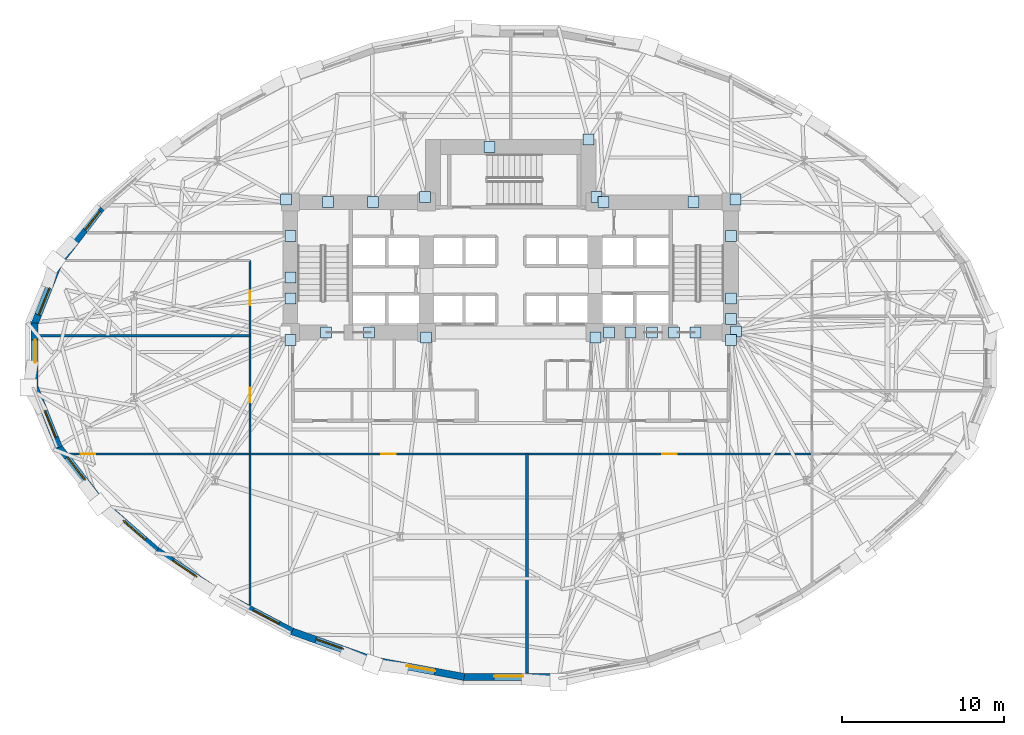
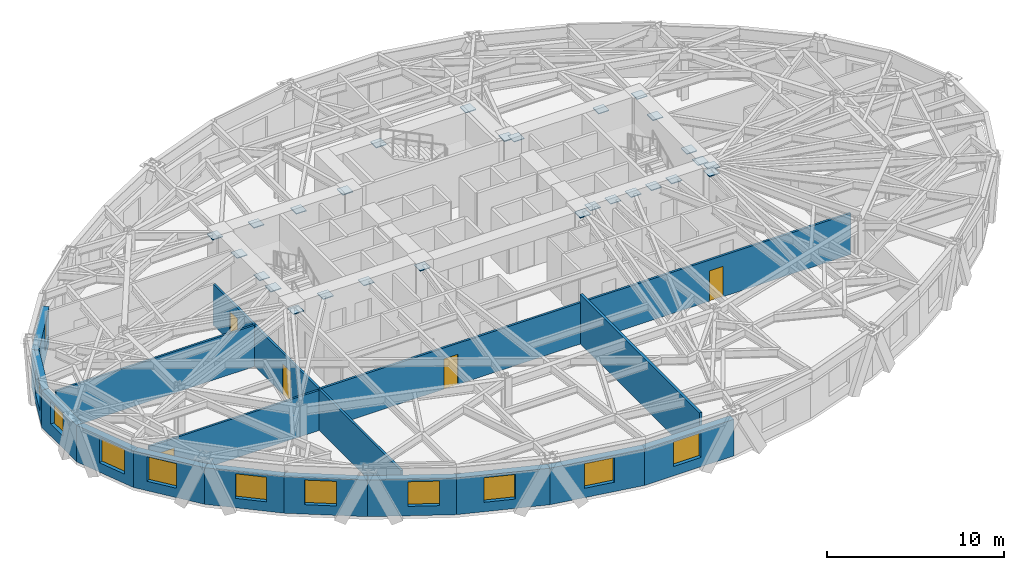
# One storey, part 6 of 14: 28 plates, 16 walls, 11 windows, 5 doors, 16 openings.
"""IFC4 building model written with IfcOpenShell, lengths in metres."""

from ifc_helpers import new_model, si_unit, direction, frame, frame_2d, origin, origin_2d, place, context, subcontext, project, spatial, rectangle, extrude, material, layer, layer_set, type_object, element, fill, save


model = new_model("IFC4")

# Units and contexts
model_context = context("Model", 3, precision=1e-05, world=origin(), true_north=direction((0.0, 1.0)))
body_context = subcontext(model_context, "Body", "Model", "MODEL_VIEW")
ifc_project = project(units=[si_unit("LENGTHUNIT", "METRE"), si_unit("AREAUNIT", "SQUARE_METRE"), si_unit("VOLUMEUNIT", "CUBIC_METRE"), si_unit("PLANEANGLEUNIT", "RADIAN"), si_unit("MASSUNIT", "GRAM", prefix="KILO")], contexts=[model_context])

# Site, building, storey
site_placement = place(None, origin())
site = spatial("IfcSite", under=ifc_project, at=site_placement, CompositionType="ELEMENT")
building_placement = place(site_placement, origin())
building = spatial("IfcBuilding", under=site, at=building_placement, Name="Keldmark Tower", CompositionType="ELEMENT")
storey_placement = place(building_placement, frame((0.0, 0.0, 66.60009765625)))
storey = spatial("IfcBuildingStorey", under=building, at=storey_placement, Name="L17", CompositionType="ELEMENT", Elevation=66.60009765625)

# Plates
ifc_material_1 = material(Name="Steel ASTM A572 Grade 50", Category="steel")
ifc_layer_1 = layer(ifc_material_1, 0.06005859375)
ifc_layer_set_1 = layer_set([ifc_layer_1], Name="Steel ASTM A572 Grade 50")
plate_type = type_object("IfcPlateType", Name="Belt Truss Kink Node Assembly KN01 60 mm", PredefinedType="USERDEFINED", material=ifc_layer_set_1)
for number, where, z_axis, x_axis, name in (
    (1, (13.91162109375, 1.473388671875, 3.09814453125), (0.0, 0.0, 1.0), (1.0, 0.0, 0.0), "L17 Core Wall Cast-In Embed Plate 434"),
    (2, (13.878173828125, 9.608154296875, 3.09814453125), (0.0, 0.0, 1.0), (1.0, 0.0, 0.0), "L17 Core Wall Cast-In Embed Plate 435"),
    (3, (5.28515625, 9.758544921875, 3.09814453125), (0.0, 0.0, 1.0), (1.0, 0.0, 0.0), "L17 Core Wall Cast-In Embed Plate 436"),
    (4, (-5.28515625, 9.758544921875, 3.09814453125), (0.0, 0.0, 1.0), (1.0, 0.0, 0.0), "L17 Core Wall Cast-In Embed Plate 437"),
    (5, (-13.878173828125, 9.608154296875, 3.09814453125), (0.0, 0.0, 1.0), (1.0, 0.0, 0.0), "L17 Core Wall Cast-In Embed Plate 438"),
    (6, (-5.24072265625, 1.08251953125, 3.09814453125), (0.0, 0.0, 1.0), (1.0, 0.0, 0.0), "L17 Core Wall Cast-In Embed Plate 440"),
    (7, (5.24072265625, 1.08251953125, 3.09814453125), (0.0, 0.0, 1.0), (1.0, 0.0, 0.0), "L17 Core Wall Cast-In Embed Plate 441"),
    (8, (11.278564453125, 9.449951171875, 3.10400390625), (0.0, 0.0, 1.0), (1.0, 0.0, 0.0), "L17 Core Wall Cast-In Embed Plate 442"),
    (9, (-11.278564453125, 9.449951171875, 3.10400390625), (0.0, 0.0, 1.0), (1.0, 0.0, 0.0), "L17 Core Wall Cast-In Embed Plate 443"),
    (10, (5.735595703125, 9.449951171875, 3.10400390625), (0.0, 0.0, 1.0), (1.0, 0.0, 0.0), "L17 Core Wall Cast-In Embed Plate 444"),
    (11, (-8.507080078125, 9.449951171875, 3.10400390625), (0.0, 0.0, 1.0), (1.0, 0.0, 0.0), "L17 Core Wall Cast-In Embed Plate 445"),
    (12, (-13.60009765625, 7.343017578125, 3.10400390625), (0.0, 0.0, 1.0), (1.0, 0.0, 0.0), "L17 Core Wall Cast-In Embed Plate 446"),
    (13, (13.60009765625, 0.949951171875, 3.10400390625), (0.0, 0.0, 1.0), (1.0, 0.0, 0.0), "L17 Core Wall Cast-In Embed Plate 447"),
    (14, (13.60009765625, 7.343017578125, 3.10400390625), (0.0, 0.0, 1.0), (1.0, 0.0, 0.0), "L17 Core Wall Cast-In Embed Plate 448"),
    (15, (13.60009765625, 2.228515625, 3.10400390625), (0.0, 0.0, 1.0), (1.0, 0.0, 0.0), "L17 Core Wall Cast-In Embed Plate 449"),
    (16, (13.60009765625, 3.507080078125, 3.10400390625), (0.0, 0.0, 1.0), (1.0, 0.0, 0.0), "L17 Core Wall Cast-In Embed Plate 450"),
    (17, (4.800048828125, 13.300048828125, 3.10400390625), (0.0, 0.0, 1.0), (1.0, 0.0, 0.0), "L17 Core Wall Cast-In Embed Plate 451"),
    (18, (-1.3125, 12.85009765625, 3.10400390625), (0.0, 0.0, 1.0), (1.0, 0.0, 0.0), "L17 Core Wall Cast-In Embed Plate 452"),
    (19, (-13.60009765625, 0.949951171875, 3.10400390625), (0.0, 0.0, 1.0), (1.0, 0.0, 0.0), "L17 Core Wall Cast-In Embed Plate 453"),
    (20, (-13.60009765625, 3.507080078125, 3.10400390625), (0.0, 0.0, 1.0), (1.0, 0.0, 0.0), "L17 Core Wall Cast-In Embed Plate 454"),
    (21, (-13.60009765625, 4.78564453125, 3.10400390625), (0.0, 0.0, 1.0), (1.0, 0.0, 0.0), "L17 Core Wall Cast-In Embed Plate 455"),
    (22, (-11.392822265625, 1.39990234375, 3.10400390625), (0.0, 0.0, 1.0), (1.0, 0.0, 0.0), "L17 Core Wall Cast-In Embed Plate 456"),
    (23, (8.735595703125, 1.39990234375, 3.10400390625), (0.0, 0.0, 1.0), (1.0, 0.0, 0.0), "L17 Core Wall Cast-In Embed Plate 457"),
    (24, (7.406982421875, 1.39990234375, 3.10400390625), (0.0, 0.0, 1.0), (1.0, 0.0, 0.0), "L17 Core Wall Cast-In Embed Plate 458"),
    (25, (11.392822265625, 1.39990234375, 3.10400390625), (0.0, 0.0, 1.0), (1.0, 0.0, 0.0), "L17 Core Wall Cast-In Embed Plate 459"),
    (26, (10.064208984375, 1.39990234375, 3.10400390625), (0.0, 0.0, 1.0), (1.0, 0.0, 0.0), "L17 Core Wall Cast-In Embed Plate 460"),
    (27, (-8.735595703125, 1.39990234375, 3.10400390625), (0.0, 0.0, 1.0), (1.0, 0.0, 0.0), "L17 Core Wall Cast-In Embed Plate 461"),
    (28, (6.07861328125, 1.39990234375, 3.10400390625), (0.0, 0.0, 1.0), (1.0, 0.0, 0.0), "L17 Core Wall Cast-In Embed Plate 462"),
):
    element("IfcPlate", number, at=place(storey_placement, frame(where, z_axis=z_axis, x_axis=x_axis)), inside=storey, type_object=plate_type, Name=name, ObjectType="CAP PLATE", PredefinedType="USERDEFINED", context=body_context, shape_type="SweptSolid", body=[
        extrude(rectangle(XDim=0.679931640625, YDim=0.679931640625, at=origin_2d()), origin(), (0.0, 0.0, 1.0), 0.054931640625),
    ])

# Wall, openings, doors
ifc_material_2 = material(Name="Acoustic Double-Layer Gypsum Corridor Partition", Category="gypsum")
ifc_layer_2 = layer(ifc_material_2, 0.139892578125)
ifc_layer_set_2 = layer_set([ifc_layer_2], Name="Acoustic Double-Layer Gypsum Corridor Partition")
wall_type_1 = type_object("IfcWallType", Name="Acoustic Corridor Partition 140 mm", PredefinedType="PARTITIONING", material=ifc_layer_set_2)
wall_1_placement = place(storey_placement, frame((-16.10009765625, -6.10009765625, 0.0), z_axis=(0.0, 0.0, 1.0), x_axis=(1.0, 0.0, 0.0)))
wall_1 = element("IfcWall", 29, at=wall_1_placement, inside=storey, type_object=wall_type_1, Name="L17 Acoustic Corridor Partition 140 mm COR-S", PredefinedType="PARTITIONING", context=body_context, shape_type="SweptSolid", body=[
    extrude(rectangle(XDim=34.7001953125, YDim=0.139892578125, at=frame_2d((17.35009765625, 0.0))), origin(), (0.0, 0.0, 1.0), 2.852783203125),
])
opening_1_placement = place(wall_1_placement, frame((8.10009765625, 0.0, 0.0)))
opening_1 = element("IfcOpeningElement", 30, at=opening_1_placement, cuts=wall_1, Name="Opening D-IN090", PredefinedType="OPENING", context=body_context, shape_type="SweptSolid", body=[
    extrude(rectangle(XDim=0.89990234375, YDim=2.10009765625, at=frame_2d((0.449951171875, 1.050048828125))), frame((0.0, 0.079833984375, 0.0), z_axis=(0.0, -1.0, 0.0), x_axis=(1.0, 0.0, 0.0)), (0.0, 0.0, 1.0), 0.159912109375),
])
opening_2_placement = place(wall_1_placement, frame((25.449951171875, 0.0, 0.0)))
opening_2 = element("IfcOpeningElement", 31, at=opening_2_placement, cuts=wall_1, Name="Opening D-IN090", PredefinedType="OPENING", context=body_context, shape_type="SweptSolid", body=[
    extrude(rectangle(XDim=0.89990234375, YDim=2.10009765625, at=frame_2d((0.449951171875, 1.050048828125))), frame((0.0, 0.079833984375, 0.0), z_axis=(0.0, -1.0, 0.0), x_axis=(1.0, 0.0, 0.0)), (0.0, 0.0, 1.0), 0.159912109375),
])
ifc_material_3 = material(Name="Stained American White Oak Veneer", Category="wood")
door_type = type_object("IfcDoorType", Name="Interior Door 900x2100", OperationType="NOTDEFINED", PredefinedType="DOOR", material=ifc_material_3)
door_1_placement = place(opening_1_placement, origin())
door_1 = element("IfcDoor", 32, at=door_1_placement, inside=storey, type_object=door_type, Name="L17 Interior Door 900x2100 D-SR-1-L17", OperationType="SINGLE_SWING_LEFT", OverallHeight=2.10009765625, OverallWidth=0.89990234375, PredefinedType="DOOR", context=body_context, shape_type="SweptSolid", body=[
    extrude(rectangle(XDim=0.89990234375, YDim=2.10009765625, at=frame_2d((0.449951171875, 1.050048828125))), frame((0.0, 0.02490234375, 0.0), z_axis=(0.0, -1.0, 0.0), x_axis=(1.0, 0.0, 0.0)), (0.0, 0.0, 1.0), 0.050048828125),
])
fill(opening_1, door_1)
door_2_placement = place(opening_2_placement, origin())
door_2 = element("IfcDoor", 33, at=door_2_placement, inside=storey, type_object=door_type, Name="L17 Interior Door 900x2100 D-SR-2-L17", OperationType="SINGLE_SWING_RIGHT", OverallHeight=2.10009765625, OverallWidth=0.89990234375, PredefinedType="DOOR", context=body_context, shape_type="SweptSolid", body=[
    extrude(rectangle(XDim=0.89990234375, YDim=2.10009765625, at=frame_2d((0.449951171875, 1.050048828125))), frame((0.0, 0.02490234375, 0.0), z_axis=(0.0, -1.0, 0.0), x_axis=(1.0, 0.0, 0.0)), (0.0, 0.0, 1.0), 0.050048828125),
])
fill(opening_2, door_2)

wall_2_placement = place(storey_placement, frame((-16.10009765625, -15.430908203125, 0.0), z_axis=(0.0, 0.0, 1.0), x_axis=(0.0, 1.0, 0.0)))
wall_2 = element("IfcWall", 34, at=wall_2_placement, inside=storey, type_object=wall_type_1, Name="L17 Acoustic Corridor Partition 140 mm COR-W", PredefinedType="PARTITIONING", context=body_context, shape_type="SweptSolid", body=[
    extrude(rectangle(XDim=21.281005859375, YDim=0.139892578125, at=frame_2d((10.640625, 0.0))), origin(), (0.0, 0.0, 1.0), 2.8408203125),
])
opening_3_placement = place(wall_2_placement, frame((12.53076171875, 0.0, 0.0)))
opening_3 = element("IfcOpeningElement", 35, at=opening_3_placement, cuts=wall_2, Name="Opening D-IN090", PredefinedType="OPENING", context=body_context, shape_type="SweptSolid", body=[
    extrude(rectangle(XDim=0.89990234375, YDim=2.10009765625, at=frame_2d((0.449951171875, 1.050048828125))), frame((0.0, 0.079833984375, 0.0), z_axis=(0.0, -1.0, 0.0), x_axis=(1.0, 0.0, 0.0)), (0.0, 0.0, 1.0), 0.159912109375),
])
opening_4_placement = place(wall_2_placement, frame((18.505615234375, 0.0, 0.0)))
opening_4 = element("IfcOpeningElement", 36, at=opening_4_placement, cuts=wall_2, Name="Opening D-IN090", PredefinedType="OPENING", context=body_context, shape_type="SweptSolid", body=[
    extrude(rectangle(XDim=0.89990234375, YDim=2.10009765625, at=frame_2d((0.449951171875, 1.050048828125))), frame((0.0, 0.079833984375, 0.0), z_axis=(0.0, -1.0, 0.0), x_axis=(1.0, 0.0, 0.0)), (0.0, 0.0, 1.0), 0.159912109375),
])
door_3_placement = place(opening_3_placement, origin())
door_3 = element("IfcDoor", 37, at=door_3_placement, inside=storey, type_object=door_type, Name="L17 Interior Door 900x2100 D-WR-1-L17", OperationType="SINGLE_SWING_LEFT", OverallHeight=2.10009765625, OverallWidth=0.89990234375, PredefinedType="DOOR", context=body_context, shape_type="SweptSolid", body=[
    extrude(rectangle(XDim=0.89990234375, YDim=2.10009765625, at=frame_2d((0.449951171875, 1.050048828125))), frame((0.0, 0.02490234375, 0.0), z_axis=(0.0, -1.0, 0.0), x_axis=(1.0, 0.0, 0.0)), (0.0, 0.0, 1.0), 0.050048828125),
])
fill(opening_3, door_3)
door_4_placement = place(opening_4_placement, origin())
door_4 = element("IfcDoor", 38, at=door_4_placement, inside=storey, type_object=door_type, Name="L17 Interior Door 900x2100 D-WR-2-L17", OperationType="SINGLE_SWING_RIGHT", OverallHeight=2.10009765625, OverallWidth=0.89990234375, PredefinedType="DOOR", context=body_context, shape_type="SweptSolid", body=[
    extrude(rectangle(XDim=0.89990234375, YDim=2.10009765625, at=frame_2d((0.449951171875, 1.050048828125))), frame((0.0, 0.02490234375, 0.0), z_axis=(0.0, -1.0, 0.0), x_axis=(1.0, 0.0, 0.0)), (0.0, 0.0, 1.0), 0.050048828125),
])
fill(opening_4, door_4)

# Wall
ifc_material_4 = material(Name="STC-58 Insulated Tenant Demising Gypsum Partition", Category="gypsum")
ifc_layer_3 = layer(ifc_material_4, 0.175048828125)
ifc_layer_set_3 = layer_set([ifc_layer_3], Name="STC-58 Insulated Tenant Demising Gypsum Partition")
wall_type_2 = type_object("IfcWallType", Name="Demising Suite Partition 175 mm", PredefinedType="PARTITIONING", material=ifc_layer_set_3)
wall_3_placement = place(storey_placement, frame((1.0, -19.636474609375, 0.0), z_axis=(0.0, 0.0, 1.0), x_axis=(0.0, 1.0, 0.0)))
element("IfcWall", 39, at=wall_3_placement, inside=storey, type_object=wall_type_2, Name="L17 Demising Suite Partition 175 mm S-DIV-1", PredefinedType="PARTITIONING", context=body_context, shape_type="SweptSolid", body=[
    extrude(rectangle(XDim=13.536376953125, YDim=0.175048828125, at=frame_2d((6.76806640625, 0.0))), origin(), (0.0, 0.0, 1.0), 3.39990234375),
])

# Wall, opening, door
ifc_material_5 = material(Name="Acoustic Gypsum Board Interior Partition", Category="gypsum")
ifc_layer_4 = layer(ifc_material_5, 0.1298828125)
ifc_layer_set_4 = layer_set([ifc_layer_4], Name="Acoustic Gypsum Board Interior Partition")
wall_type_3 = type_object("IfcWallType", Name="Interior Partition 130 mm", PredefinedType="PARTITIONING", material=ifc_layer_set_4)
wall_4_placement = place(storey_placement, frame((-27.285888671875, -6.10009765625, 0.0), z_axis=(0.0, 0.0, 1.0), x_axis=(1.0, 0.0, 0.0)))
wall_4 = element("IfcWall", 40, at=wall_4_placement, inside=storey, type_object=wall_type_3, Name="L17 Interior Partition 130 mm W-CAP-S", PredefinedType="PARTITIONING", context=body_context, shape_type="SweptSolid", body=[
    extrude(rectangle(XDim=11.185791015625, YDim=0.1298828125, at=frame_2d((5.5927734375, 0.0))), origin(), (0.0, 0.0, 1.0), 2.77880859375),
])
opening_5_placement = place(wall_4_placement, frame((0.75, 0.0, 0.0)))
opening_5 = element("IfcOpeningElement", 41, at=opening_5_placement, cuts=wall_4, Name="Opening D-IN090", PredefinedType="OPENING", context=body_context, shape_type="SweptSolid", body=[
    extrude(rectangle(XDim=0.89990234375, YDim=2.10009765625, at=frame_2d((0.449951171875, 1.050048828125))), frame((0.0, 0.074951171875, 0.0), z_axis=(0.0, -1.0, 0.0), x_axis=(1.0, 0.0, 0.0)), (0.0, 0.0, 1.0), 0.14990234375),
])
door_5_placement = place(opening_5_placement, origin())
door_5 = element("IfcDoor", 42, at=door_5_placement, inside=storey, type_object=door_type, Name="L17 Interior Door 900x2100 D-WRSW-L17", OperationType="SINGLE_SWING_LEFT", OverallHeight=2.10009765625, OverallWidth=0.89990234375, PredefinedType="DOOR", context=body_context, shape_type="SweptSolid", body=[
    extrude(rectangle(XDim=0.89990234375, YDim=2.10009765625, at=frame_2d((0.449951171875, 1.050048828125))), frame((0.0, 0.02490234375, 0.0), z_axis=(0.0, -1.0, 0.0), x_axis=(1.0, 0.0, 0.0)), (0.0, 0.0, 1.0), 0.050048828125),
])
fill(opening_5, door_5)

# Wall
wall_5_placement = place(storey_placement, frame((-29.1728515625, 1.199951171875, 0.0), z_axis=(0.0, 0.0, 1.0), x_axis=(1.0, 0.0, 0.0)))
element("IfcWall", 43, at=wall_5_placement, inside=storey, type_object=wall_type_3, Name="L17 Interior Partition 130 mm W-DIV-1", PredefinedType="PARTITIONING", context=body_context, shape_type="SweptSolid", body=[
    extrude(rectangle(XDim=13.07275390625, YDim=0.1298828125, at=frame_2d((6.536376953125, 0.0))), origin(), (0.0, 0.0, 1.0), 2.852783203125),
])

# Wall, opening, window
ifc_material_6 = material(Name="Ironspot Manganese Brick and Kasota Buff Limestone Spandrel Assembly", Category="masonry")
ifc_layer_5 = layer(ifc_material_6, 0.43994140625)
ifc_layer_set_5 = layer_set([ifc_layer_5], Name="Ironspot Manganese Brick and Kasota Buff Limestone Spandrel Assembly")
wall_type_4 = type_object("IfcWallType", Name="Tower Brick Pier and Spandrel Wall 440 mm", PredefinedType="STANDARD", material=ifc_layer_set_5)
wall_6_placement = place(storey_placement, frame((-27.924560546875, 5.645263671875, 0.0), z_axis=(0.0, 0.0, 1.0), x_axis=(0.610684735824, 0.791873824187, 0.0)))
wall_6 = element("IfcWall", 44, at=wall_6_placement, inside=storey, type_object=wall_type_4, Name="L17 Exterior Brick and Spandrel Wall 14", PredefinedType="STANDARD", context=body_context, shape_type="SweptSolid", body=[
    extrude(rectangle(XDim=4.346923828125, YDim=0.43994140625, at=frame_2d((2.17333984375, 0.0))), origin(), (0.0, 0.0, 1.0), 2.52880859375),
])
opening_6_placement = place(wall_6_placement, frame((2.646728515625, 0.0, 0.64990234375)))
opening_6 = element("IfcOpeningElement", 45, at=opening_6_placement, cuts=wall_6, Name="Opening W-03", PredefinedType="OPENING", context=body_context, shape_type="SweptSolid", body=[
    extrude(rectangle(XDim=1.5, YDim=1.699951171875, at=frame_2d((0.75, 0.85009765625))), frame((0.0, 0.22998046875, 0.0), z_axis=(0.0, -1.0, 0.0), x_axis=(1.0, 0.0, 0.0)), (0.0, 0.0, 1.0), 0.4599609375),
])
ifc_material_7 = material(Name="Thermally Broken Anodized Aluminum and Triple Low-E Argon Glazing", Category="aluminium")
window_type_1 = type_object("IfcWindowType", Name="Office Corner Deep-Set Window 1500x1700", PartitioningType="DOUBLE_PANEL_VERTICAL", PredefinedType="WINDOW", material=ifc_material_7)
window_1_placement = place(opening_6_placement, origin())
window_1 = element("IfcWindow", 46, at=window_1_placement, inside=storey, type_object=window_type_1, Name="L17 Deep-Set Window 14", OverallHeight=1.699951171875, OverallWidth=1.5, PartitioningType="SINGLE_PANEL", PredefinedType="WINDOW", context=body_context, shape_type="SweptSolid", body=[
    extrude(rectangle(XDim=1.5, YDim=1.699951171875, at=frame_2d((0.75, 0.85009765625))), frame((0.0, -0.010009765625, 0.0), z_axis=(0.0, -1.0, 0.0), x_axis=(1.0, 0.0, 0.0)), (0.0, 0.0, 1.0), 0.06005859375),
])
fill(opening_6, window_1)

wall_7_placement = place(storey_placement, frame((-29.416748046875, 1.896484375, 0.0), z_axis=(0.0, 0.0, 1.0), x_axis=(0.37175044344, 0.928332703185, 0.0)))
wall_7 = element("IfcWall", 47, at=wall_7_placement, inside=storey, type_object=wall_type_4, Name="L17 Exterior Brick and Spandrel Wall 15", PredefinedType="STANDARD", context=body_context, shape_type="SweptSolid", body=[
    extrude(rectangle(XDim=4.0947265625, YDim=0.43994140625, at=frame_2d((2.04736328125, 0.0))), origin(), (0.0, 0.0, 1.0), 2.52880859375),
])
opening_7_placement = place(wall_7_placement, frame((0.648681640625, 0.0, 0.64990234375)))
opening_7 = element("IfcOpeningElement", 48, at=opening_7_placement, cuts=wall_7, Name="Opening W-02", PredefinedType="OPENING", context=body_context, shape_type="SweptSolid", body=[
    extrude(rectangle(XDim=1.800048828125, YDim=1.699951171875, at=frame_2d((0.89990234375, 0.85009765625))), frame((0.0, 0.22998046875, 0.0), z_axis=(0.0, -1.0, 0.0), x_axis=(1.0, 0.0, 0.0)), (0.0, 0.0, 1.0), 0.4599609375),
])
ifc_material_8 = material(Name="Thermally Broken Anodized Aluminum and Triple Low-E Argon Glazing", Category="aluminium")
window_type_2 = type_object("IfcWindowType", Name="Office Deep-Set Triple Window 1800x1700", PartitioningType="TRIPLE_PANEL_VERTICAL", PredefinedType="WINDOW", material=ifc_material_8)
window_2_placement = place(opening_7_placement, origin())
window_2 = element("IfcWindow", 49, at=window_2_placement, inside=storey, type_object=window_type_2, Name="L17 Deep-Set Window 15", OverallHeight=1.699951171875, OverallWidth=1.800048828125, PartitioningType="SINGLE_PANEL", PredefinedType="WINDOW", context=body_context, shape_type="SweptSolid", body=[
    extrude(rectangle(XDim=1.800048828125, YDim=1.699951171875, at=frame_2d((0.89990234375, 0.85009765625))), frame((0.0, -0.010009765625, 0.0), z_axis=(0.0, -1.0, 0.0), x_axis=(1.0, 0.0, 0.0)), (0.0, 0.0, 1.0), 0.06005859375),
])
fill(opening_7, window_2)

wall_8_placement = place(storey_placement, frame((-29.40087890625, -1.978271484375, 0.0), z_axis=(0.0, 0.0, 1.0), x_axis=(0.0, 1.0, 0.0)))
wall_8 = element("IfcWall", 50, at=wall_8_placement, inside=storey, type_object=wall_type_4, Name="L17 Exterior Brick and Spandrel Wall 16", PredefinedType="STANDARD", context=body_context, shape_type="SweptSolid", body=[
    extrude(rectangle(XDim=3.95654296875, YDim=0.43994140625, at=frame_2d((1.978271484375, 0.0))), origin(), (0.0, 0.0, 1.0), 2.532958984375),
])
opening_8_placement = place(wall_8_placement, frame((1.523193359375, 0.0, 0.85009765625)))
opening_8 = element("IfcOpeningElement", 51, at=opening_8_placement, cuts=wall_8, Name="Opening W-08", PredefinedType="OPENING", context=body_context, shape_type="SweptSolid", body=[
    extrude(rectangle(XDim=1.39990234375, YDim=1.550048828125, at=frame_2d((0.699951171875, 0.77490234375))), frame((0.0, 0.22998046875, 0.0), z_axis=(0.0, -1.0, 0.0), x_axis=(1.0, 0.0, 0.0)), (0.0, 0.0, 1.0), 0.4599609375),
])
ifc_material_9 = material(Name="Thermally Broken Anodized Aluminum and Triple Low-E Argon Glazing", Category="aluminium")
window_type_3 = type_object("IfcWindowType", Name="Residential Corner Punched Window 1400x1550", PartitioningType="SINGLE_PANEL", PredefinedType="WINDOW", material=ifc_material_9)
window_3_placement = place(opening_8_placement, origin())
window_3 = element("IfcWindow", 52, at=window_3_placement, inside=storey, type_object=window_type_3, Name="L17 Deep-Set Window 16", OverallHeight=1.550048828125, OverallWidth=1.39990234375, PartitioningType="SINGLE_PANEL", PredefinedType="WINDOW", context=body_context, shape_type="SweptSolid", body=[
    extrude(rectangle(XDim=1.39990234375, YDim=1.550048828125, at=frame_2d((0.699951171875, 0.77490234375))), frame((0.0, -0.010009765625, 0.0), z_axis=(0.0, -1.0, 0.0), x_axis=(1.0, 0.0, 0.0)), (0.0, 0.0, 1.0), 0.06005859375),
])
fill(opening_8, window_3)

wall_9_placement = place(storey_placement, frame((-27.89453125, -5.69775390625, 0.0), z_axis=(0.0, 0.0, 1.0), x_axis=(-0.37175044344, 0.928332703185, 0.0)))
wall_9 = element("IfcWall", 53, at=wall_9_placement, inside=storey, type_object=wall_type_4, Name="L17 Exterior Brick and Spandrel Wall 17", PredefinedType="STANDARD", context=body_context, shape_type="SweptSolid", body=[
    extrude(rectangle(XDim=4.0947265625, YDim=0.43994140625, at=frame_2d((2.04736328125, 0.0))), origin(), (0.0, 0.0, 1.0), 2.52880859375),
])
opening_9_placement = place(wall_9_placement, frame((0.648681640625, 0.0, 0.64990234375)))
opening_9 = element("IfcOpeningElement", 54, at=opening_9_placement, cuts=wall_9, Name="Opening W-02", PredefinedType="OPENING", context=body_context, shape_type="SweptSolid", body=[
    extrude(rectangle(XDim=1.800048828125, YDim=1.699951171875, at=frame_2d((0.89990234375, 0.85009765625))), frame((0.0, 0.22998046875, 0.0), z_axis=(0.0, -1.0, 0.0), x_axis=(1.0, 0.0, 0.0)), (0.0, 0.0, 1.0), 0.4599609375),
])
window_4_placement = place(opening_9_placement, origin())
window_4 = element("IfcWindow", 55, at=window_4_placement, inside=storey, type_object=window_type_2, Name="L17 Deep-Set Window 17", OverallHeight=1.699951171875, OverallWidth=1.800048828125, PartitioningType="SINGLE_PANEL", PredefinedType="WINDOW", context=body_context, shape_type="SweptSolid", body=[
    extrude(rectangle(XDim=1.800048828125, YDim=1.699951171875, at=frame_2d((0.89990234375, 0.85009765625))), frame((0.0, -0.010009765625, 0.0), z_axis=(0.0, -1.0, 0.0), x_axis=(1.0, 0.0, 0.0)), (0.0, 0.0, 1.0), 0.06005859375),
])
fill(opening_9, window_4)

wall_10_placement = place(storey_placement, frame((-25.27001953125, -9.08740234375, 0.0), z_axis=(0.0, 0.0, 1.0), x_axis=(-0.610684735824, 0.791873824187, 0.0)))
wall_10 = element("IfcWall", 56, at=wall_10_placement, inside=storey, type_object=wall_type_4, Name="L17 Exterior Brick and Spandrel Wall 18", PredefinedType="STANDARD", context=body_context, shape_type="SweptSolid", body=[
    extrude(rectangle(XDim=4.346923828125, YDim=0.43994140625, at=frame_2d((2.17333984375, 0.0))), origin(), (0.0, 0.0, 1.0), 2.52880859375),
])
opening_10_placement = place(wall_10_placement, frame((1.69775390625, 0.0, 0.64990234375)))
opening_10 = element("IfcOpeningElement", 57, at=opening_10_placement, cuts=wall_10, Name="Opening W-02", PredefinedType="OPENING", context=body_context, shape_type="SweptSolid", body=[
    extrude(rectangle(XDim=1.800048828125, YDim=1.699951171875, at=frame_2d((0.89990234375, 0.85009765625))), frame((0.0, 0.22998046875, 0.0), z_axis=(0.0, -1.0, 0.0), x_axis=(1.0, 0.0, 0.0)), (0.0, 0.0, 1.0), 0.4599609375),
])
window_5_placement = place(opening_10_placement, origin())
window_5 = element("IfcWindow", 58, at=window_5_placement, inside=storey, type_object=window_type_2, Name="L17 Deep-Set Window 18", OverallHeight=1.699951171875, OverallWidth=1.800048828125, PartitioningType="SINGLE_PANEL", PredefinedType="WINDOW", context=body_context, shape_type="SweptSolid", body=[
    extrude(rectangle(XDim=1.800048828125, YDim=1.699951171875, at=frame_2d((0.89990234375, 0.85009765625))), frame((0.0, -0.010009765625, 0.0), z_axis=(0.0, -1.0, 0.0), x_axis=(1.0, 0.0, 0.0)), (0.0, 0.0, 1.0), 0.06005859375),
])
fill(opening_10, window_5)

wall_11_placement = place(storey_placement, frame((-21.847412109375, -12.072021484375, 0.0), z_axis=(0.0, 0.0, 1.0), x_axis=(-0.753064762529, 0.657946398605, 0.0)))
wall_11 = element("IfcWall", 59, at=wall_11_placement, inside=storey, type_object=wall_type_4, Name="L17 Exterior Brick and Spandrel Wall 19", PredefinedType="STANDARD", context=body_context, shape_type="SweptSolid", body=[
    extrude(rectangle(XDim=4.584228515625, YDim=0.43994140625, at=frame_2d((2.2919921875, 0.0))), origin(), (0.0, 0.0, 1.0), 2.52880859375),
])
opening_11_placement = place(wall_11_placement, frame((0.99462890625, 0.0, 0.64990234375)))
opening_11 = element("IfcOpeningElement", 60, at=opening_11_placement, cuts=wall_11, Name="Opening W-02", PredefinedType="OPENING", context=body_context, shape_type="SweptSolid", body=[
    extrude(rectangle(XDim=1.800048828125, YDim=1.699951171875, at=frame_2d((0.89990234375, 0.85009765625))), frame((0.0, 0.22998046875, 0.0), z_axis=(0.0, -1.0, 0.0), x_axis=(1.0, 0.0, 0.0)), (0.0, 0.0, 1.0), 0.4599609375),
])
window_6_placement = place(opening_11_placement, origin())
window_6 = element("IfcWindow", 61, at=window_6_placement, inside=storey, type_object=window_type_2, Name="L17 Deep-Set Window 19", OverallHeight=1.699951171875, OverallWidth=1.800048828125, PartitioningType="SINGLE_PANEL", PredefinedType="WINDOW", context=body_context, shape_type="SweptSolid", body=[
    extrude(rectangle(XDim=1.800048828125, YDim=1.699951171875, at=frame_2d((0.89990234375, 0.85009765625))), frame((0.0, -0.010009765625, 0.0), z_axis=(0.0, -1.0, 0.0), x_axis=(1.0, 0.0, 0.0)), (0.0, 0.0, 1.0), 0.06005859375),
])
fill(opening_11, window_6)

wall_12_placement = place(storey_placement, frame((-17.9248046875, -14.7294921875, 0.0), z_axis=(0.0, 0.0, 1.0), x_axis=(-0.827689135004, 0.561186863528, 0.0)))
wall_12 = element("IfcWall", 62, at=wall_12_placement, inside=storey, type_object=wall_type_4, Name="L17 Exterior Brick and Spandrel Wall 20", PredefinedType="STANDARD", context=body_context, shape_type="SweptSolid", body=[
    extrude(rectangle(XDim=4.7646484375, YDim=0.43994140625, at=frame_2d((2.38232421875, 0.0))), origin(), (0.0, 0.0, 1.0), 2.52880859375),
])
opening_12_placement = place(wall_12_placement, frame((1.7783203125, 0.0, 0.64990234375)))
opening_12 = element("IfcOpeningElement", 63, at=opening_12_placement, cuts=wall_12, Name="Opening W-02", PredefinedType="OPENING", context=body_context, shape_type="SweptSolid", body=[
    extrude(rectangle(XDim=1.800048828125, YDim=1.699951171875, at=frame_2d((0.89990234375, 0.85009765625))), frame((0.0, 0.22998046875, 0.0), z_axis=(0.0, -1.0, 0.0), x_axis=(1.0, 0.0, 0.0)), (0.0, 0.0, 1.0), 0.4599609375),
])
window_7_placement = place(opening_12_placement, origin())
window_7 = element("IfcWindow", 64, at=window_7_placement, inside=storey, type_object=window_type_2, Name="L17 Deep-Set Window 20", OverallHeight=1.699951171875, OverallWidth=1.800048828125, PartitioningType="SINGLE_PANEL", PredefinedType="WINDOW", context=body_context, shape_type="SweptSolid", body=[
    extrude(rectangle(XDim=1.800048828125, YDim=1.699951171875, at=frame_2d((0.89990234375, 0.85009765625))), frame((0.0, -0.010009765625, 0.0), z_axis=(0.0, -1.0, 0.0), x_axis=(1.0, 0.0, 0.0)), (0.0, 0.0, 1.0), 0.06005859375),
])
fill(opening_12, window_7)

wall_13_placement = place(storey_placement, frame((-13.497802734375, -17.057861328125, 0.0), z_axis=(0.0, 0.0, 1.0), x_axis=(-0.884937186938, 0.465710398395, 0.0)))
wall_13 = element("IfcWall", 65, at=wall_13_placement, inside=storey, type_object=wall_type_4, Name="L17 Exterior Brick and Spandrel Wall 21", PredefinedType="STANDARD", context=body_context, shape_type="SweptSolid", body=[
    extrude(rectangle(XDim=5.0263671875, YDim=0.43994140625, at=frame_2d((2.51318359375, 0.0))), origin(), (0.0, 0.0, 1.0), 2.52880859375),
])
opening_13_placement = place(wall_13_placement, frame((0.94384765625, 0.0, 0.64990234375)))
opening_13 = element("IfcOpeningElement", 66, at=opening_13_placement, cuts=wall_13, Name="Opening W-02", PredefinedType="OPENING", context=body_context, shape_type="SweptSolid", body=[
    extrude(rectangle(XDim=1.800048828125, YDim=1.699951171875, at=frame_2d((0.89990234375, 0.85009765625))), frame((0.0, 0.22998046875, 0.0), z_axis=(0.0, -1.0, 0.0), x_axis=(1.0, 0.0, 0.0)), (0.0, 0.0, 1.0), 0.4599609375),
])
window_8_placement = place(opening_13_placement, origin())
window_8 = element("IfcWindow", 67, at=window_8_placement, inside=storey, type_object=window_type_2, Name="L17 Deep-Set Window 21", OverallHeight=1.699951171875, OverallWidth=1.800048828125, PartitioningType="SINGLE_PANEL", PredefinedType="WINDOW", context=body_context, shape_type="SweptSolid", body=[
    extrude(rectangle(XDim=1.800048828125, YDim=1.699951171875, at=frame_2d((0.89990234375, 0.85009765625))), frame((0.0, -0.010009765625, 0.0), z_axis=(0.0, -1.0, 0.0), x_axis=(1.0, 0.0, 0.0)), (0.0, 0.0, 1.0), 0.06005859375),
])
fill(opening_13, window_8)

wall_14_placement = place(storey_placement, frame((-8.4501953125, -18.844970703125, 0.0), z_axis=(0.0, 0.0, 1.0), x_axis=(-0.942515730584, 0.334161783575, 0.0)))
wall_14 = element("IfcWall", 68, at=wall_14_placement, inside=storey, type_object=wall_type_4, Name="L17 Exterior Brick and Spandrel Wall 22", PredefinedType="STANDARD", context=body_context, shape_type="SweptSolid", body=[
    extrude(rectangle(XDim=5.385986328125, YDim=0.43994140625, at=frame_2d((2.69287109375, 0.0))), origin(), (0.0, 0.0, 1.0), 2.52880859375),
])
opening_14_placement = place(wall_14_placement, frame((1.9921875, 0.0, 0.64990234375)))
opening_14 = element("IfcOpeningElement", 69, at=opening_14_placement, cuts=wall_14, Name="Opening W-02", PredefinedType="OPENING", context=body_context, shape_type="SweptSolid", body=[
    extrude(rectangle(XDim=1.800048828125, YDim=1.699951171875, at=frame_2d((0.89990234375, 0.85009765625))), frame((0.0, 0.22998046875, 0.0), z_axis=(0.0, -1.0, 0.0), x_axis=(1.0, 0.0, 0.0)), (0.0, 0.0, 1.0), 0.4599609375),
])
window_9_placement = place(opening_14_placement, origin())
window_9 = element("IfcWindow", 70, at=window_9_placement, inside=storey, type_object=window_type_2, Name="L17 Deep-Set Window 22", OverallHeight=1.699951171875, OverallWidth=1.800048828125, PartitioningType="SINGLE_PANEL", PredefinedType="WINDOW", context=body_context, shape_type="SweptSolid", body=[
    extrude(rectangle(XDim=1.800048828125, YDim=1.699951171875, at=frame_2d((0.89990234375, 0.85009765625))), frame((0.0, -0.010009765625, 0.0), z_axis=(0.0, -1.0, 0.0), x_axis=(1.0, 0.0, 0.0)), (0.0, 0.0, 1.0), 0.06005859375),
])
fill(opening_14, window_9)

wall_15_placement = place(storey_placement, frame((-2.877685546875, -19.8681640625, 0.0), z_axis=(0.0, 0.0, 1.0), x_axis=(-0.983468646836, 0.181078493177, 0.0)))
wall_15 = element("IfcWall", 71, at=wall_15_placement, inside=storey, type_object=wall_type_4, Name="L17 Exterior Brick and Spandrel Wall 23", PredefinedType="STANDARD", context=body_context, shape_type="SweptSolid", body=[
    extrude(rectangle(XDim=5.700439453125, YDim=0.43994140625, at=frame_2d((2.85009765625, 0.0))), origin(), (0.0, 0.0, 1.0), 2.52880859375),
])
opening_15_placement = place(wall_15_placement, frame((1.826904296875, 0.0, 0.64990234375)))
opening_15 = element("IfcOpeningElement", 72, at=opening_15_placement, cuts=wall_15, Name="Opening W-02", PredefinedType="OPENING", context=body_context, shape_type="SweptSolid", body=[
    extrude(rectangle(XDim=1.800048828125, YDim=1.699951171875, at=frame_2d((0.89990234375, 0.85009765625))), frame((0.0, 0.22998046875, 0.0), z_axis=(0.0, -1.0, 0.0), x_axis=(1.0, 0.0, 0.0)), (0.0, 0.0, 1.0), 0.4599609375),
])
window_10_placement = place(opening_15_placement, origin())
window_10 = element("IfcWindow", 73, at=window_10_placement, inside=storey, type_object=window_type_2, Name="L17 Deep-Set Window 23", OverallHeight=1.699951171875, OverallWidth=1.800048828125, PartitioningType="SINGLE_PANEL", PredefinedType="WINDOW", context=body_context, shape_type="SweptSolid", body=[
    extrude(rectangle(XDim=1.800048828125, YDim=1.699951171875, at=frame_2d((0.89990234375, 0.85009765625))), frame((0.0, -0.010009765625, 0.0), z_axis=(0.0, -1.0, 0.0), x_axis=(1.0, 0.0, 0.0)), (0.0, 0.0, 1.0), 0.06005859375),
])
fill(opening_15, window_10)

wall_16_placement = place(storey_placement, frame((2.91748046875, -19.864501953125, 0.0), z_axis=(0.0, 0.0, 1.0), x_axis=(-1.0, 0.0, 0.0)))
wall_16 = element("IfcWall", 74, at=wall_16_placement, inside=storey, type_object=wall_type_4, Name="L17 Exterior Brick and Spandrel Wall 24", PredefinedType="STANDARD", context=body_context, shape_type="SweptSolid", body=[
    extrude(rectangle(XDim=5.8349609375, YDim=0.43994140625, at=frame_2d((2.91748046875, 0.0))), origin(), (0.0, 0.0, 1.0), 2.52880859375),
])
opening_16_placement = place(wall_16_placement, frame((2.141845703125, 0.0, 0.64990234375)))
opening_16 = element("IfcOpeningElement", 75, at=opening_16_placement, cuts=wall_16, Name="Opening W-02", PredefinedType="OPENING", context=body_context, shape_type="SweptSolid", body=[
    extrude(rectangle(XDim=1.800048828125, YDim=1.699951171875, at=frame_2d((0.89990234375, 0.85009765625))), frame((0.0, 0.22998046875, 0.0), z_axis=(0.0, -1.0, 0.0), x_axis=(1.0, 0.0, 0.0)), (0.0, 0.0, 1.0), 0.4599609375),
])
window_11_placement = place(opening_16_placement, origin())
window_11 = element("IfcWindow", 76, at=window_11_placement, inside=storey, type_object=window_type_2, Name="L17 Deep-Set Window 24", OverallHeight=1.699951171875, OverallWidth=1.800048828125, PartitioningType="SINGLE_PANEL", PredefinedType="WINDOW", context=body_context, shape_type="SweptSolid", body=[
    extrude(rectangle(XDim=1.800048828125, YDim=1.699951171875, at=frame_2d((0.89990234375, 0.85009765625))), frame((0.0, -0.010009765625, 0.0), z_axis=(0.0, -1.0, 0.0), x_axis=(1.0, 0.0, 0.0)), (0.0, 0.0, 1.0), 0.06005859375),
])
fill(opening_16, window_11)

save(model, "model.ifc")
